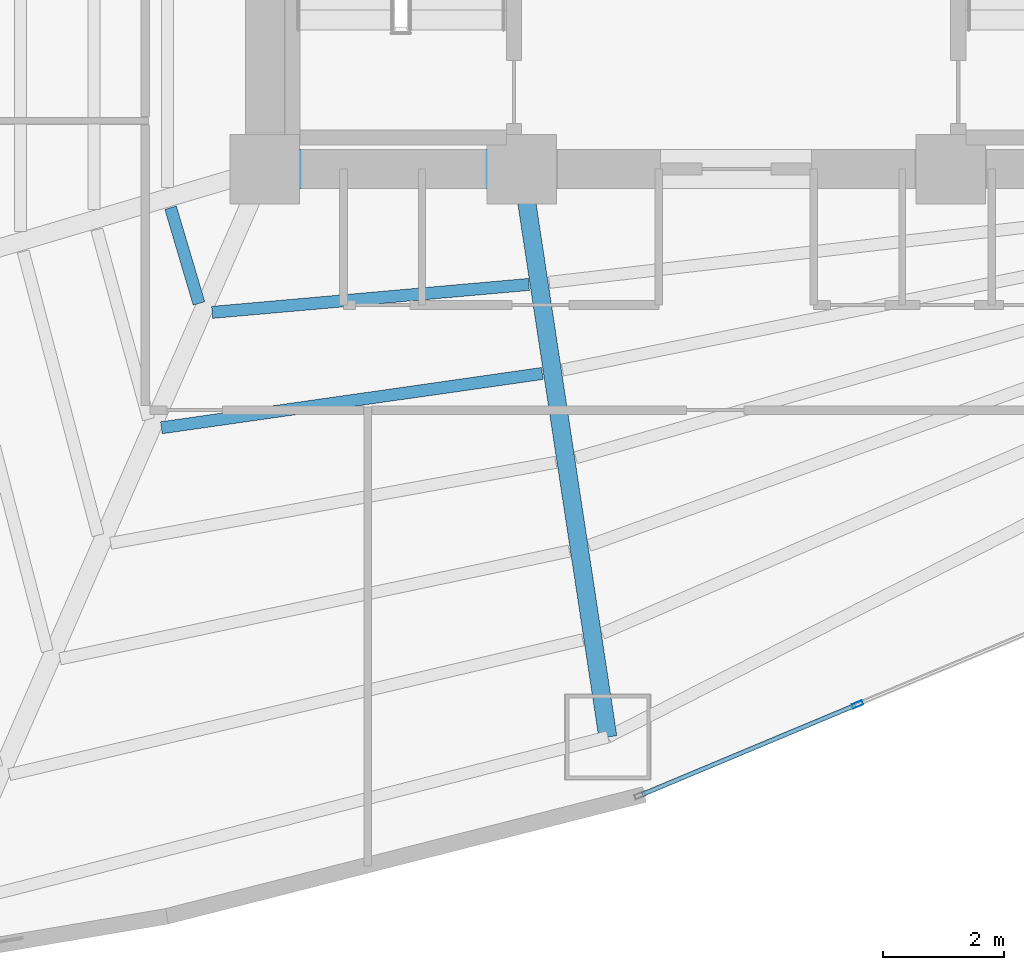
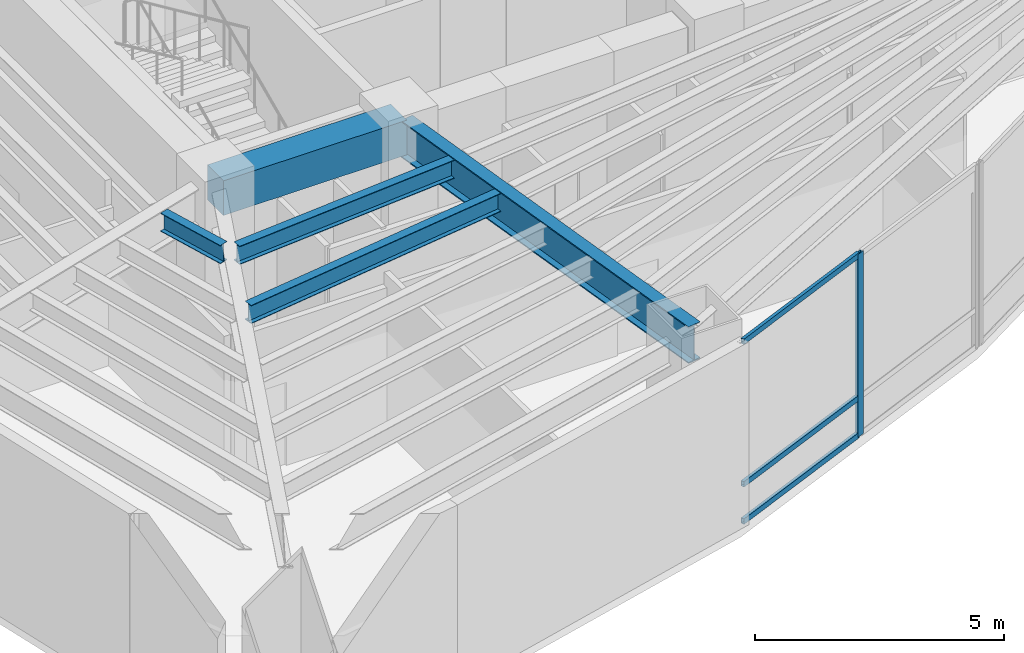
# One storey, part 4 of 18: 5 beams, 4 members, 1 element without a shape of its own.
"""IFC4 building model written with IfcOpenShell, lengths in metres."""

from ifc_helpers import new_model, si_unit, direction, frame, origin, origin_2d, place, context, subcontext, project, spatial, rectangle, hollow_rectangle, i_section, extrude, material, layer, layer_set, material_profile, profile_set, type_object, element, aggregate, save


model = new_model("IFC4")

# Units and contexts
model_context = context("Model", 3, precision=1e-05, world=origin(), true_north=direction((0.0, 1.0)))
body_context = subcontext(model_context, "Body", "Model", "MODEL_VIEW")
ifc_project = project(units=[si_unit("LENGTHUNIT", "METRE"), si_unit("AREAUNIT", "SQUARE_METRE"), si_unit("VOLUMEUNIT", "CUBIC_METRE"), si_unit("PLANEANGLEUNIT", "RADIAN"), si_unit("MASSUNIT", "GRAM", prefix="KILO")], contexts=[model_context])

# Site, building, storey
site_placement = place(None, origin())
site = spatial("IfcSite", under=ifc_project, at=site_placement, CompositionType="ELEMENT")
building_placement = place(site_placement, origin())
building = spatial("IfcBuilding", under=site, at=building_placement, Name="Menara Vayukalpa", CompositionType="ELEMENT")
storey_placement = place(building_placement, frame((0.0, 0.0, 18.0)))
storey = spatial("IfcBuildingStorey", under=building, at=storey_placement, Name="L03", CompositionType="ELEMENT", Elevation=18.0)

# Beams
ifc_material_1 = material(Name="Concrete C60/75", Category="concrete")
ifc_material_profile_1 = material_profile(ifc_material_1, rectangle(XDim=0.64990234375, YDim=0.85009765625, at=origin_2d()), Name="RC 650x850")
ifc_profile_set_1 = profile_set([ifc_material_profile_1], Name="Concrete C60/75")
beam_type_1 = type_object("IfcBeamType", Name="BM-CB1", PredefinedType="BEAM", material=ifc_profile_set_1)
beam_1_placement = place(storey_placement, frame((17.800048828125, 17.199951171875, 4.054931640625), z_axis=(1.0, 0.0, 0.0), x_axis=(0.0, 1.0, 0.0)))
element("IfcBeam", 1, at=beam_1_placement, inside=storey, type_object=beam_type_1, Name="L03 Core Tie Beam CBR1", PredefinedType="BEAM", context=body_context, shape_type="SweptSolid", body=[
    extrude(rectangle(XDim=0.64990234375, YDim=0.85009765625, at=origin_2d()), origin(), (0.0, 0.0, 1.0), 4.25),
])
ifc_material_2 = material(Name="Steel S355", Category="steel")
ifc_material_profile_2 = material_profile(ifc_material_2, i_section(OverallWidth=0.300048828125, OverallDepth=0.89990234375, WebThickness=0.01611328125, FlangeThickness=0.028076171875, at=origin_2d()), Name="WF 900x300x16x28")
ifc_profile_set_2 = profile_set([ifc_material_profile_2], Name="Steel S355")
beam_type_2 = type_object("IfcBeamType", Name="BM-PG1", PredefinedType="BEAM", material=ifc_profile_set_2)
beam_2_placement = place(storey_placement, frame((22.08740234375, 16.952880859375, 4.030029296875), z_axis=(0.149956157605, -0.988692647285, 0.0), x_axis=(0.988692647285, 0.149956157605, 0.0)))
element("IfcBeam", 2, at=beam_2_placement, inside=storey, type_object=beam_type_2, Name="L03 Primary Radial Girder RG08", PredefinedType="BEAM", context=body_context, shape_type="SweptSolid", body=[
    extrude(i_section(OverallWidth=0.300048828125, OverallDepth=0.89990234375, WebThickness=0.01611328125, FlangeThickness=0.028076171875, at=origin_2d()), origin(), (0.0, 0.0, 1.0), 9.25732421875),
])
ifc_material_3 = material(Name="Steel S355", Category="steel")
ifc_material_profile_3 = material_profile(ifc_material_3, i_section(OverallWidth=0.199951171875, OverallDepth=0.449951171875, WebThickness=0.009033203125, FlangeThickness=0.013916015625, at=origin_2d()), Name="WF 450x200x9x14")
ifc_profile_set_3 = profile_set([ifc_material_profile_3], Name="Steel S355")
beam_type_3 = type_object("IfcBeamType", Name="BM-SJ1", PredefinedType="JOIST", material=ifc_profile_set_3)
beam_3_placement = place(storey_placement, frame((16.239013671875, 16.5595703125, 4.2548828125), z_axis=(0.284173863657, -0.958772765161, 0.0), x_axis=(0.958772765161, 0.284173863657, 0.0)))
element("IfcBeam", 3, at=beam_3_placement, inside=storey, type_object=beam_type_3, Name="L03 Secondary Floor Joist SJ06-1", PredefinedType="JOIST", context=body_context, shape_type="SweptSolid", body=[
    extrude(i_section(OverallWidth=0.199951171875, OverallDepth=0.449951171875, WebThickness=0.009033203125, FlangeThickness=0.013916015625, at=origin_2d()), origin(), (0.0, 0.0, 1.0), 1.652099609375),
])
beam_4_placement = place(storey_placement, frame((16.926025390625, 14.82763671875, 4.2548828125), z_axis=(0.996127818773, 0.08791682812, 0.0), x_axis=(-0.08791682812, 0.996127818773, 0.0)))
element("IfcBeam", 4, at=beam_4_placement, inside=storey, type_object=beam_type_3, Name="L03 Secondary Floor Joist SJ07-1", PredefinedType="JOIST", context=body_context, shape_type="SweptSolid", body=[
    extrude(i_section(OverallWidth=0.199951171875, OverallDepth=0.449951171875, WebThickness=0.009033203125, FlangeThickness=0.013916015625, at=origin_2d()), origin(), (0.0, 0.0, 1.0), 5.26220703125),
])
beam_5_placement = place(storey_placement, frame((16.0869140625, 12.918212890625, 4.2548828125), z_axis=(0.989991622628, 0.141126139063, 0.0), x_axis=(-0.141126139063, 0.989991622628, 0.0)))
element("IfcBeam", 5, at=beam_5_placement, inside=storey, type_object=beam_type_3, Name="L03 Secondary Floor Joist SJ07-2", PredefinedType="JOIST", context=body_context, shape_type="SweptSolid", body=[
    extrude(i_section(OverallWidth=0.199951171875, OverallDepth=0.449951171875, WebThickness=0.009033203125, FlangeThickness=0.013916015625, at=origin_2d()), origin(), (0.0, 0.0, 1.0), 6.367919921875),
])

# Curtain wall, members
ifc_material_4 = material(Name="Anodised Terracotta Aluminium Alloy 6063-T6", Category="masonry")
ifc_layer = layer(ifc_material_4, 0.179931640625)
ifc_layer_set = layer_set([ifc_layer], Name="Anodised Terracotta Aluminium Alloy 6063-T6")
curtain_wall_type = type_object("IfcCurtainWallType", Name="CW-CW1", PredefinedType="USERDEFINED", material=ifc_layer_set)
curtain_wall_placement = place(storey_placement, origin())
curtain_wall = element("IfcCurtainWall", 6, at=curtain_wall_placement, inside=storey, type_object=curtain_wall_type, Name="L03 Podium Unitised Ribbon Curtain Wall CW1 16", ObjectType="UNITISED", PredefinedType="USERDEFINED")
ifc_material_5 = material(Name="Anodised Terracotta Aluminium Alloy 6063-T6", Category="masonry")
ifc_material_profile_4 = material_profile(ifc_material_5, hollow_rectangle(XDim=0.074951171875, YDim=0.179931640625, WallThickness=0.00390625, at=origin_2d()), Name="ALU 75x180x4")
ifc_profile_set_4 = profile_set([ifc_material_profile_4], Name="Anodised Terracotta Aluminium Alloy 6063-T6")
member_type_1 = type_object("IfcMemberType", Name="CWM-CW1", PredefinedType="MULLION", material=ifc_profile_set_4)
member_1_placement = place(storey_placement, frame((27.608154296875, 8.33984375, 0.0), z_axis=(0.0, 0.0, 1.0), x_axis=(-0.385890613077, 0.922544543499, 0.0)))
member_1 = element("IfcMember", 7, at=member_1_placement, type_object=member_type_1, Name="CW1 mullion 2", PredefinedType="MULLION", context=body_context, shape_type="SweptSolid", body=[
    extrude(hollow_rectangle(XDim=0.074951171875, YDim=0.179931640625, WallThickness=0.00390625, at=origin_2d()), origin(), (0.0, 0.0, 1.0), 4.47998046875),
])
ifc_material_6 = material(Name="Anodised Terracotta Aluminium Alloy 6063-T6", Category="masonry")
ifc_material_profile_5 = material_profile(ifc_material_6, hollow_rectangle(XDim=0.074951171875, YDim=0.135009765625, WallThickness=0.00390625, at=origin_2d()), Name="ALU 75x135x4")
ifc_profile_set_5 = profile_set([ifc_material_profile_5], Name="Anodised Terracotta Aluminium Alloy 6063-T6")
member_type_2 = type_object("IfcMemberType", Name="CWT-CW1", PredefinedType="USERDEFINED", material=ifc_profile_set_5)
member_2_placement = place(storey_placement, frame((24.0439453125, 6.848876953125, 0.03759765625), z_axis=(0.922549314237, 0.385879207525, 0.0), x_axis=(-0.385879207525, 0.922549314237, 0.0)))
member_2 = element("IfcMember", 8, at=member_2_placement, type_object=member_type_2, Name="CW1 transom 1.1", ObjectType="TRANSOM", PredefinedType="USERDEFINED", context=body_context, shape_type="SweptSolid", body=[
    extrude(hollow_rectangle(XDim=0.074951171875, YDim=0.135009765625, WallThickness=0.00390625, at=origin_2d()), origin(), (0.0, 0.0, 1.0), 3.825927734375),
])
member_3_placement = place(storey_placement, frame((24.0439453125, 6.848876953125, 0.949951171875), z_axis=(0.922549314237, 0.385879207525, 0.0), x_axis=(-0.385879207525, 0.922549314237, 0.0)))
member_3 = element("IfcMember", 9, at=member_3_placement, type_object=member_type_2, Name="CW1 transom 1.2", ObjectType="TRANSOM", PredefinedType="USERDEFINED", context=body_context, shape_type="SweptSolid", body=[
    extrude(hollow_rectangle(XDim=0.074951171875, YDim=0.135009765625, WallThickness=0.00390625, at=origin_2d()), origin(), (0.0, 0.0, 1.0), 3.825927734375),
])
member_4_placement = place(storey_placement, frame((24.0439453125, 6.848876953125, 4.4423828125), z_axis=(0.922549314237, 0.385879207525, 0.0), x_axis=(-0.385879207525, 0.922549314237, 0.0)))
member_4 = element("IfcMember", 10, at=member_4_placement, type_object=member_type_2, Name="CW1 transom 1.3", ObjectType="TRANSOM", PredefinedType="USERDEFINED", context=body_context, shape_type="SweptSolid", body=[
    extrude(hollow_rectangle(XDim=0.074951171875, YDim=0.135009765625, WallThickness=0.00390625, at=origin_2d()), origin(), (0.0, 0.0, 1.0), 3.825927734375),
])
aggregate(curtain_wall, [member_1, member_2, member_3, member_4])

save(model, "model.ifc")
